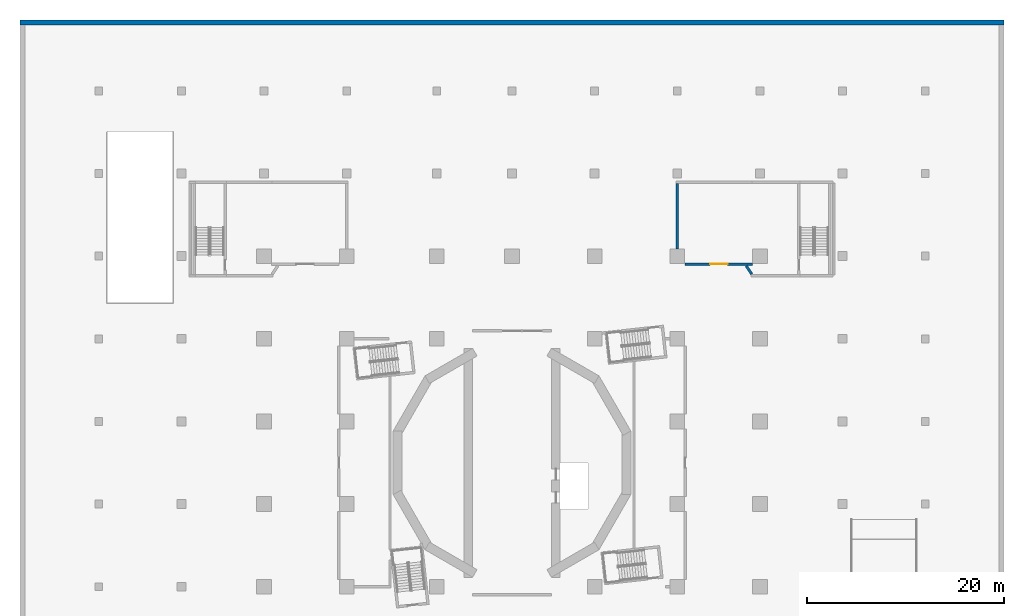
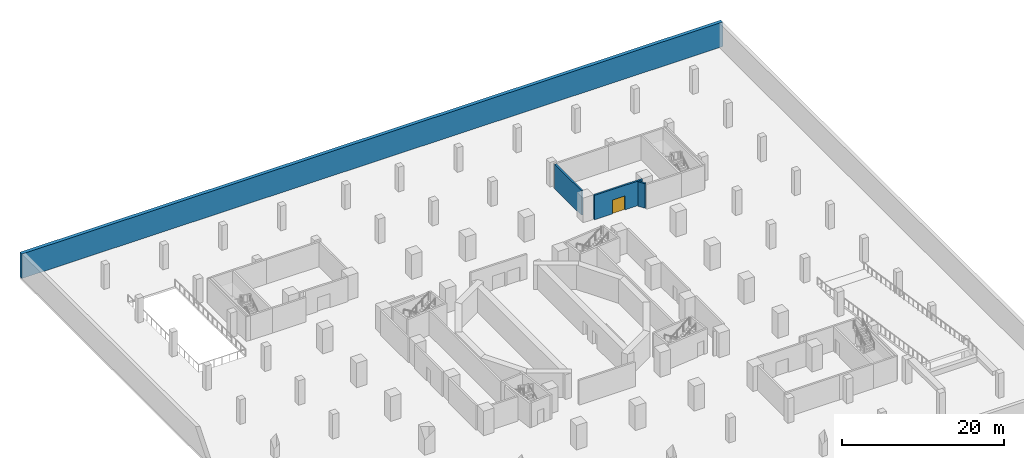
# One storey, part 9 of 18: 4 walls, 1 door, 1 opening.
"""IFC4 building model written with IfcOpenShell, lengths in metres."""

from ifc_helpers import new_model, si_unit, direction, frame, frame_2d, origin, place, context, subcontext, project, spatial, rectangle, extrude, material, layer, layer_set, type_object, element, fill, save


model = new_model("IFC4")

# Units and contexts
model_context = context("Model", 3, precision=1e-05, world=origin(), true_north=direction((0.0, 1.0)))
body_context = subcontext(model_context, "Body", "Model", "MODEL_VIEW")
ifc_project = project(units=[si_unit("LENGTHUNIT", "METRE"), si_unit("AREAUNIT", "SQUARE_METRE"), si_unit("VOLUMEUNIT", "CUBIC_METRE"), si_unit("PLANEANGLEUNIT", "RADIAN"), si_unit("MASSUNIT", "GRAM", prefix="KILO")], contexts=[model_context])

# Site, building, storey
site_placement = place(None, origin())
site = spatial("IfcSite", under=ifc_project, at=site_placement, CompositionType="ELEMENT")
building_placement = place(site_placement, origin())
building = spatial("IfcBuilding", under=site, at=building_placement, Name="Cantera Rosa Tower", CompositionType="ELEMENT")
storey_placement = place(building_placement, frame((0.0, 0.0, -9.0)))
storey = spatial("IfcBuildingStorey", under=building, at=storey_placement, Name="B2", CompositionType="ELEMENT", Elevation=-9.0)

# Walls
ifc_material_1 = material(Name="Masonry blockwork", Category="masonry")
ifc_layer_1 = layer(ifc_material_1, 0.25)
ifc_layer_set_1 = layer_set([ifc_layer_1], Name="Fire-rated external wall 250")
wall_type_1 = type_object("IfcWallType", Name="Fire-rated external wall 250", PredefinedType="PARTITIONING", material=ifc_layer_set_1)
wall_1_placement = place(storey_placement, frame((16.800048828125, 21.75, 0.0), z_axis=(0.0, 0.0, 1.0), x_axis=(0.0, 1.0, 0.0)))
element("IfcWall", 1, at=wall_1_placement, inside=storey, type_object=wall_type_1, Name="Fire wall B2-35", PredefinedType="PARTITIONING", context=body_context, shape_type="SweptSolid", body=[
    extrude(rectangle(XDim=6.625, YDim=0.25, at=frame_2d((3.3125, 0.0))), origin(), (0.0, 0.0, 1.0), 3.699951171875),
])
ifc_material_2 = material(Name="Masonry blockwork", Category="masonry")
ifc_layer_2 = layer(ifc_material_2, 0.25)
ifc_layer_set_2 = layer_set([ifc_layer_2], Name="Fire-rated wall 250")
wall_type_2 = type_object("IfcWallType", Name="Fire-rated wall 250", PredefinedType="PARTITIONING", material=ifc_layer_set_2)
wall_2_placement = place(storey_placement, frame((24.366455078125, 19.1748046875, 0.0), z_axis=(0.0, 0.0, 1.0), x_axis=(-0.559172704165, 0.829051196801, 0.0)))
element("IfcWall", 2, at=wall_2_placement, inside=storey, type_object=wall_type_2, Name="Fire wall B2-37", PredefinedType="PARTITIONING", context=body_context, shape_type="SweptSolid", body=[
    extrude(rectangle(XDim=1.005859375, YDim=0.25, at=frame_2d((0.5029296875, 0.0))), origin(), (0.0, 0.0, 1.0), 3.699951171875),
])

# Wall, opening, door
wall_3_placement = place(storey_placement, frame((17.60009765625, 20.199951171875, 0.0), z_axis=(0.0, 0.0, 1.0), x_axis=(1.0, 0.0, 0.0)))
wall_3 = element("IfcWall", 3, at=wall_3_placement, inside=storey, type_object=wall_type_2, Name="Fire wall B2-39", PredefinedType="PARTITIONING", context=body_context, shape_type="SweptSolid", body=[
    extrude(rectangle(XDim=6.849853515625, YDim=0.25, at=frame_2d((3.4248046875, 0.0))), origin(), (0.0, 0.0, 1.0), 3.699951171875),
])
opening_placement = place(wall_3_placement, frame((2.52490234375, 0.0, 0.0)))
opening = element("IfcOpeningElement", 4, at=opening_placement, cuts=wall_3, Name="Opening B2-001", PredefinedType="OPENING", context=body_context, shape_type="SweptSolid", body=[
    extrude(rectangle(XDim=1.800048828125, YDim=2.10009765625, at=frame_2d((0.89990234375, 1.050048828125))), frame((0.0, 0.135009765625, 0.0), z_axis=(0.0, -1.0, 0.0), x_axis=(1.0, 0.0, 0.0)), (0.0, 0.0, 1.0), 0.27001953125),
])
ifc_material_3 = material(Name="Steel S355J2 (EN 10025-2)", Category="steel")
door_type = type_object("IfcDoorType", Name="Fire double door 1800x2100", OperationType="NOTDEFINED", PredefinedType="DOOR", material=ifc_material_3)
door_placement = place(opening_placement, origin())
door = element("IfcDoor", 5, at=door_placement, inside=storey, type_object=door_type, Name="Door B2-001", OperationType="DOUBLE_DOOR_SINGLE_SWING", OverallHeight=2.10009765625, OverallWidth=1.800048828125, PredefinedType="DOOR", context=body_context, shape_type="SweptSolid", body=[
    extrude(rectangle(XDim=1.800048828125, YDim=2.10009765625, at=frame_2d((0.89990234375, 1.050048828125))), frame((0.0, 0.02490234375, 0.0), z_axis=(0.0, -1.0, 0.0), x_axis=(1.0, 0.0, 0.0)), (0.0, 0.0, 1.0), 0.050048828125),
])
fill(opening, door)

# Wall
ifc_material_4 = material(Name="Concrete C40/50", Category="concrete")
ifc_layer_3 = layer(ifc_material_4, 0.5)
ifc_layer_set_3 = layer_set([ifc_layer_3], Name="Retaining wall 500")
wall_type_3 = type_object("IfcWallType", Name="Retaining wall 500", PredefinedType="SOLIDWALL", material=ifc_layer_set_3)
wall_4_placement = place(storey_placement, frame((-50.0, 44.75, 0.0), z_axis=(0.0, 0.0, 1.0), x_axis=(1.0, 0.0, 0.0)))
element("IfcWall", 6, at=wall_4_placement, inside=storey, type_object=wall_type_3, Name="Retaining wall N B2", PredefinedType="SOLIDWALL", context=body_context, shape_type="SweptSolid", body=[
    extrude(rectangle(XDim=100.0, YDim=0.5, at=frame_2d((50.0, 0.0))), origin(), (0.0, 0.0, 1.0), 3.699951171875),
])

save(model, "model.ifc")
